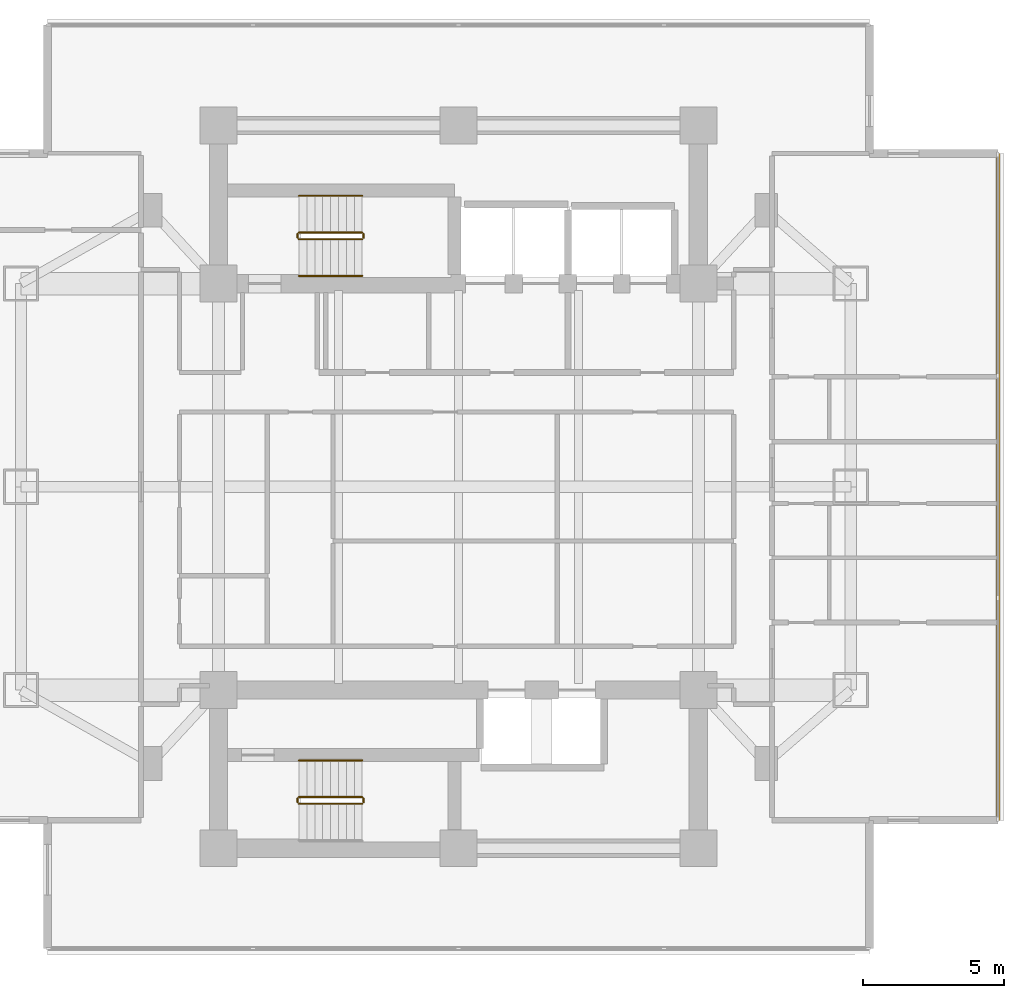
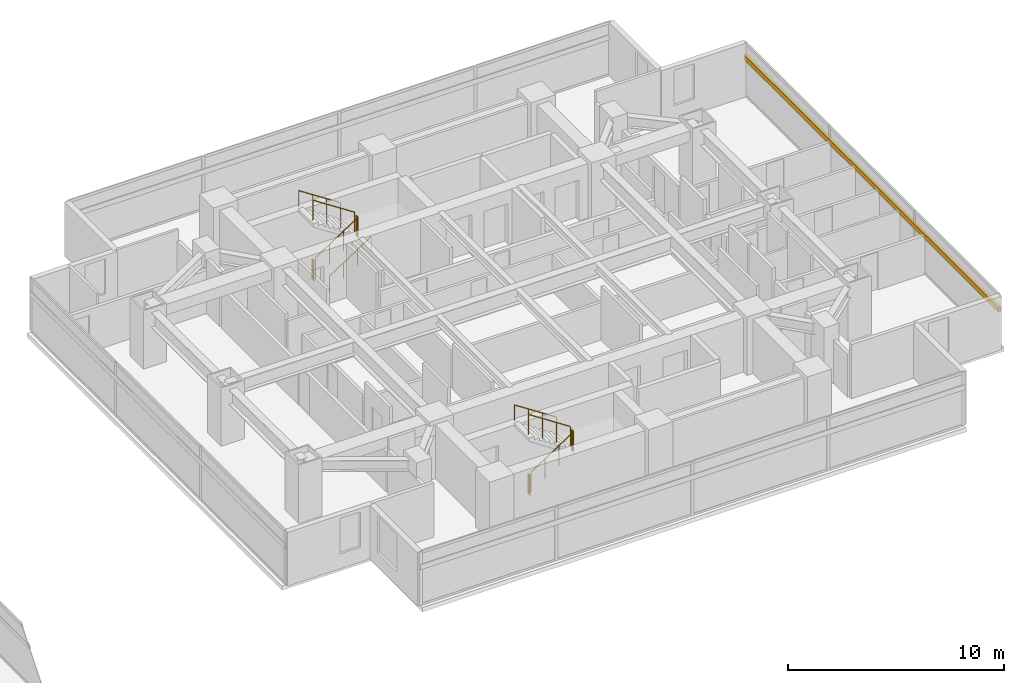
# One storey, part 26 of 27: 11 railings, 1 shading device.
"""IFC4 building model written with IfcOpenShell, lengths in metres."""

from ifc_helpers import new_model, si_unit, direction, frame, origin, origin_2d, place, context, subcontext, project, spatial, rectangle, circle, extrude, material, material_profile, profile_set, type_object, element, save


model = new_model("IFC4")

# Units and contexts
model_context = context("Model", 3, precision=1e-05, world=origin(), true_north=direction((0.0, 1.0)))
body_context = subcontext(model_context, "Body", "Model", "MODEL_VIEW")
ifc_project = project(units=[si_unit("LENGTHUNIT", "METRE"), si_unit("AREAUNIT", "SQUARE_METRE"), si_unit("VOLUMEUNIT", "CUBIC_METRE"), si_unit("PLANEANGLEUNIT", "RADIAN"), si_unit("MASSUNIT", "GRAM", prefix="KILO")], contexts=[model_context])

# Site, building, storey
site_placement = place(None, origin())
site = spatial("IfcSite", under=ifc_project, at=site_placement, CompositionType="ELEMENT")
building_placement = place(site_placement, origin())
building = spatial("IfcBuilding", under=site, at=building_placement, Name="Mirazonda Arch Towers", CompositionType="ELEMENT")
storey_placement = place(building_placement, frame((0.0, 0.0, 75.199951171875)))
storey = spatial("IfcBuildingStorey", under=building, at=storey_placement, Name="L21", CompositionType="ELEMENT", Elevation=75.199951171875)

# Shading device
ifc_material_1 = material(Name="Kiln-Fired Architectural Terracotta", Category="masonry")
ifc_material_profile = material_profile(ifc_material_1, rectangle(XDim=0.139892578125, YDim=0.280029296875, at=origin_2d()), Name="TERRA-BAG-140x280")
ifc_profile_set = profile_set([ifc_material_profile], Name="Kiln-Fired Architectural Terracotta")
shading_device_type = type_object("IfcShadingDeviceType", Name="BAGUETTE-3", PredefinedType="USERDEFINED", material=ifc_profile_set)
shading_device_placement = place(storey_placement, frame((95.60595703125, 16.18701171875, 2.18896484375), z_axis=(0.0, 1.0, 0.0), x_axis=(-1.0, 0.0, 0.0)))
element("IfcShadingDevice", 1, at=shading_device_placement, inside=storey, type_object=shading_device_type, Name="L21 Glazed Terracotta Sun-Screen Baguette CW-L21-T2-E", ObjectType="BAGUETTE", PredefinedType="USERDEFINED", context=body_context, shape_type="SweptSolid", body=[
    extrude(rectangle(XDim=0.139892578125, YDim=0.280029296875, at=origin_2d()), origin(), (0.0, 0.0, 1.0), 23.6259765625),
])

# Railings
ifc_material_2 = material(Name="Architectural Brushed Steel S355", Category="steel")
railing_type_1 = type_object("IfcRailingType", Name="GUARD-STAIR-1120", PredefinedType="GUARDRAIL", material=ifc_material_2)
railing_1_placement = place(storey_placement, frame((70.85009765625, 36.77001953125, 0.183349609375)))
element("IfcRailing", 2, at=railing_1_placement, inside=storey, type_object=railing_type_1, Name="L21 ST-T2N stair guard 1", PredefinedType="GUARDRAIL", context=body_context, shape_type="SweptSolid", body=[
    extrude(circle(Radius=0.02392578125, at=origin_2d()), frame((0.0, 0.0, 1.1259765625), z_axis=(0.836595146698, 0.0, 0.547821650285), x_axis=(0.0, 1.0, 0.0)), (0.0, 0.0, 1.0), 2.677490234375),
    extrude(circle(Radius=0.02099609375, at=origin_2d()), origin(), (0.0, 0.0, 1.0), 1.101806640625),
    extrude(circle(Radius=0.02099609375, at=origin_2d()), frame((0.74658203125, 0.0, 0.489013671875)), (0.0, 0.0, 1.0), 1.101806640625),
    extrude(circle(Radius=0.02099609375, at=origin_2d()), frame((1.493408203125, 0.0, 0.977783203125)), (0.0, 0.0, 1.0), 1.101806640625),
    extrude(circle(Radius=0.02099609375, at=origin_2d()), frame((2.239990234375, 0.0, 1.466796875)), (0.0, 0.0, 1.0), 1.101806640625),
])
railing_2_placement = place(storey_placement, frame((73.139892578125, 36.820068359375, 1.650146484375)))
element("IfcRailing", 3, at=railing_2_placement, inside=storey, type_object=railing_type_1, Name="L21 ST-T2N stair guard 2", PredefinedType="GUARDRAIL", context=body_context, shape_type="SweptSolid", body=[
    extrude(circle(Radius=0.02392578125, at=origin_2d()), frame((0.0, 0.0, 1.1259765625), z_axis=(0.0, 1.0, 0.0), x_axis=(-1.0, 0.0, 0.0)), (0.0, 0.0, 1.0), 0.139892578125),
    extrude(circle(Radius=0.02099609375, at=origin_2d()), origin(), (0.0, 0.0, 1.0), 1.101806640625),
    extrude(circle(Radius=0.02099609375, at=origin_2d()), frame((0.0, 0.139892578125, 0.0)), (0.0, 0.0, 1.0), 1.101806640625),
])
railing_3_placement = place(storey_placement, frame((73.090087890625, 37.010009765625, 1.83349609375)))
element("IfcRailing", 4, at=railing_3_placement, inside=storey, type_object=railing_type_1, Name="L21 ST-T2N stair guard 3", PredefinedType="GUARDRAIL", context=body_context, shape_type="SweptSolid", body=[
    extrude(circle(Radius=0.02392578125, at=origin_2d()), frame((0.0, 0.0, 1.1259765625), z_axis=(-0.836636935527, 0.0, 0.547757827979), x_axis=(0.0, -1.0, 0.0)), (0.0, 0.0, 1.0), 2.677490234375),
    extrude(circle(Radius=0.02099609375, at=origin_2d()), origin(), (0.0, 0.0, 1.0), 1.101806640625),
    extrude(circle(Radius=0.02099609375, at=origin_2d()), frame((-0.74658203125, 0.0, 0.48876953125)), (0.0, 0.0, 1.0), 1.101806640625),
    extrude(circle(Radius=0.02099609375, at=origin_2d()), frame((-1.493408203125, 0.0, 0.977783203125)), (0.0, 0.0, 1.0), 1.101806640625),
    extrude(circle(Radius=0.02099609375, at=origin_2d()), frame((-2.239990234375, 0.0, 1.466552734375)), (0.0, 0.0, 1.0), 1.101806640625),
])
railing_4_placement = place(storey_placement, frame((70.800048828125, 36.820068359375, 0.0)))
element("IfcRailing", 5, at=railing_4_placement, inside=storey, type_object=railing_type_1, Name="L21 ST-T2N stair guard 4", PredefinedType="GUARDRAIL", context=body_context, shape_type="SweptSolid", body=[
    extrude(circle(Radius=0.02392578125, at=origin_2d()), frame((0.0, 0.0, 1.1259765625), z_axis=(0.0, 1.0, 0.0), x_axis=(-1.0, 0.0, 0.0)), (0.0, 0.0, 1.0), 0.139892578125),
    extrude(circle(Radius=0.02099609375, at=origin_2d()), origin(), (0.0, 0.0, 1.0), 1.101806640625),
    extrude(circle(Radius=0.02099609375, at=origin_2d()), frame((0.0, 0.139892578125, 0.0)), (0.0, 0.0, 1.0), 1.101806640625),
])
railing_5_placement = place(storey_placement, frame((70.85009765625, 16.77001953125, 0.183349609375)))
element("IfcRailing", 6, at=railing_5_placement, inside=storey, type_object=railing_type_1, Name="L21 ST-T2S stair guard 1", PredefinedType="GUARDRAIL", context=body_context, shape_type="SweptSolid", body=[
    extrude(circle(Radius=0.02392578125, at=origin_2d()), frame((0.0, 0.0, 1.1259765625), z_axis=(0.836595146698, 0.0, 0.547821650285), x_axis=(0.0, 1.0, 0.0)), (0.0, 0.0, 1.0), 2.677490234375),
    extrude(circle(Radius=0.02099609375, at=origin_2d()), origin(), (0.0, 0.0, 1.0), 1.101806640625),
    extrude(circle(Radius=0.02099609375, at=origin_2d()), frame((0.74658203125, 0.0, 0.489013671875)), (0.0, 0.0, 1.0), 1.101806640625),
    extrude(circle(Radius=0.02099609375, at=origin_2d()), frame((1.493408203125, 0.0, 0.977783203125)), (0.0, 0.0, 1.0), 1.101806640625),
    extrude(circle(Radius=0.02099609375, at=origin_2d()), frame((2.239990234375, 0.0, 1.466796875)), (0.0, 0.0, 1.0), 1.101806640625),
])
railing_6_placement = place(storey_placement, frame((73.139892578125, 16.820068359375, 1.650146484375)))
element("IfcRailing", 7, at=railing_6_placement, inside=storey, type_object=railing_type_1, Name="L21 ST-T2S stair guard 2", PredefinedType="GUARDRAIL", context=body_context, shape_type="SweptSolid", body=[
    extrude(circle(Radius=0.02392578125, at=origin_2d()), frame((0.0, 0.0, 1.1259765625), z_axis=(0.0, 1.0, 0.0), x_axis=(-1.0, 0.0, 0.0)), (0.0, 0.0, 1.0), 0.139892578125),
    extrude(circle(Radius=0.02099609375, at=origin_2d()), origin(), (0.0, 0.0, 1.0), 1.101806640625),
    extrude(circle(Radius=0.02099609375, at=origin_2d()), frame((0.0, 0.139892578125, 0.0)), (0.0, 0.0, 1.0), 1.101806640625),
])
railing_7_placement = place(storey_placement, frame((73.090087890625, 17.010009765625, 1.83349609375)))
element("IfcRailing", 8, at=railing_7_placement, inside=storey, type_object=railing_type_1, Name="L21 ST-T2S stair guard 3", PredefinedType="GUARDRAIL", context=body_context, shape_type="SweptSolid", body=[
    extrude(circle(Radius=0.02392578125, at=origin_2d()), frame((0.0, 0.0, 1.1259765625), z_axis=(-0.836636935527, 0.0, 0.547757827979), x_axis=(0.0, -1.0, 0.0)), (0.0, 0.0, 1.0), 2.677490234375),
    extrude(circle(Radius=0.02099609375, at=origin_2d()), origin(), (0.0, 0.0, 1.0), 1.101806640625),
    extrude(circle(Radius=0.02099609375, at=origin_2d()), frame((-0.74658203125, 0.0, 0.48876953125)), (0.0, 0.0, 1.0), 1.101806640625),
    extrude(circle(Radius=0.02099609375, at=origin_2d()), frame((-1.493408203125, 0.0, 0.977783203125)), (0.0, 0.0, 1.0), 1.101806640625),
    extrude(circle(Radius=0.02099609375, at=origin_2d()), frame((-2.239990234375, 0.0, 1.466552734375)), (0.0, 0.0, 1.0), 1.101806640625),
])
railing_8_placement = place(storey_placement, frame((70.800048828125, 16.820068359375, 0.0)))
element("IfcRailing", 9, at=railing_8_placement, inside=storey, type_object=railing_type_1, Name="L21 ST-T2S stair guard 4", PredefinedType="GUARDRAIL", context=body_context, shape_type="SweptSolid", body=[
    extrude(circle(Radius=0.02392578125, at=origin_2d()), frame((0.0, 0.0, 1.1259765625), z_axis=(0.0, 1.0, 0.0), x_axis=(-1.0, 0.0, 0.0)), (0.0, 0.0, 1.0), 0.139892578125),
    extrude(circle(Radius=0.02099609375, at=origin_2d()), origin(), (0.0, 0.0, 1.0), 1.101806640625),
    extrude(circle(Radius=0.02099609375, at=origin_2d()), frame((0.0, 0.139892578125, 0.0)), (0.0, 0.0, 1.0), 1.101806640625),
])
railing_type_2 = type_object("IfcRailingType", Name="HANDRAIL-915", PredefinedType="HANDRAIL", material=ifc_material_2)
railing_9_placement = place(storey_placement, frame((70.85009765625, 35.469970703125, 0.183349609375)))
element("IfcRailing", 10, at=railing_9_placement, inside=storey, type_object=railing_type_2, Name="L21 ST-T2N stair handrail 1", PredefinedType="HANDRAIL", context=body_context, shape_type="SweptSolid", body=[
    extrude(circle(Radius=0.02392578125, at=origin_2d()), frame((0.0, 0.0, 0.8759765625), z_axis=(0.836595146698, 0.0, 0.547821650285), x_axis=(0.0, 1.0, 0.0)), (0.0, 0.0, 1.0), 2.677490234375),
    extrude(circle(Radius=0.02099609375, at=origin_2d()), origin(), (0.0, 0.0, 1.0), 0.851806640625),
    extrude(circle(Radius=0.02099609375, at=origin_2d()), frame((0.74658203125, 0.0, 0.489013671875)), (0.0, 0.0, 1.0), 0.851806640625),
    extrude(circle(Radius=0.02099609375, at=origin_2d()), frame((1.493408203125, 0.0, 0.977783203125)), (0.0, 0.0, 1.0), 0.851806640625),
    extrude(circle(Radius=0.02099609375, at=origin_2d()), frame((2.239990234375, 0.0, 1.466796875)), (0.0, 0.0, 1.0), 0.851806640625),
])
for number, where, name in (
    (11, (73.090087890625, 38.31005859375, 1.83349609375), "L21 ST-T2N stair handrail 2"),
    (12, (73.090087890625, 18.31005859375, 1.83349609375), "L21 ST-T2S stair handrail 2"),
):
    element("IfcRailing", number, at=place(storey_placement, frame(where)), inside=storey, type_object=railing_type_2, Name=name, PredefinedType="HANDRAIL", context=body_context, shape_type="SweptSolid", body=[
        extrude(circle(Radius=0.02392578125, at=origin_2d()), frame((0.0, 0.0, 0.8759765625), z_axis=(-0.836636935527, 0.0, 0.547757827979), x_axis=(0.0, -1.0, 0.0)), (0.0, 0.0, 1.0), 2.677490234375),
        extrude(circle(Radius=0.02099609375, at=origin_2d()), origin(), (0.0, 0.0, 1.0), 0.851806640625),
        extrude(circle(Radius=0.02099609375, at=origin_2d()), frame((-0.74658203125, 0.0, 0.48876953125)), (0.0, 0.0, 1.0), 0.851806640625),
        extrude(circle(Radius=0.02099609375, at=origin_2d()), frame((-1.493408203125, 0.0, 0.977783203125)), (0.0, 0.0, 1.0), 0.851806640625),
        extrude(circle(Radius=0.02099609375, at=origin_2d()), frame((-2.239990234375, 0.0, 1.466552734375)), (0.0, 0.0, 1.0), 0.851806640625),
    ])

save(model, "model.ifc")
